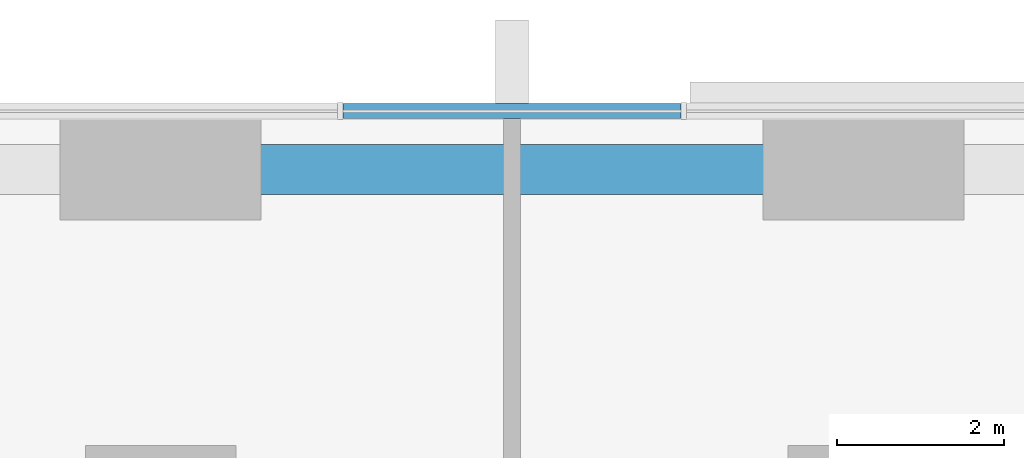
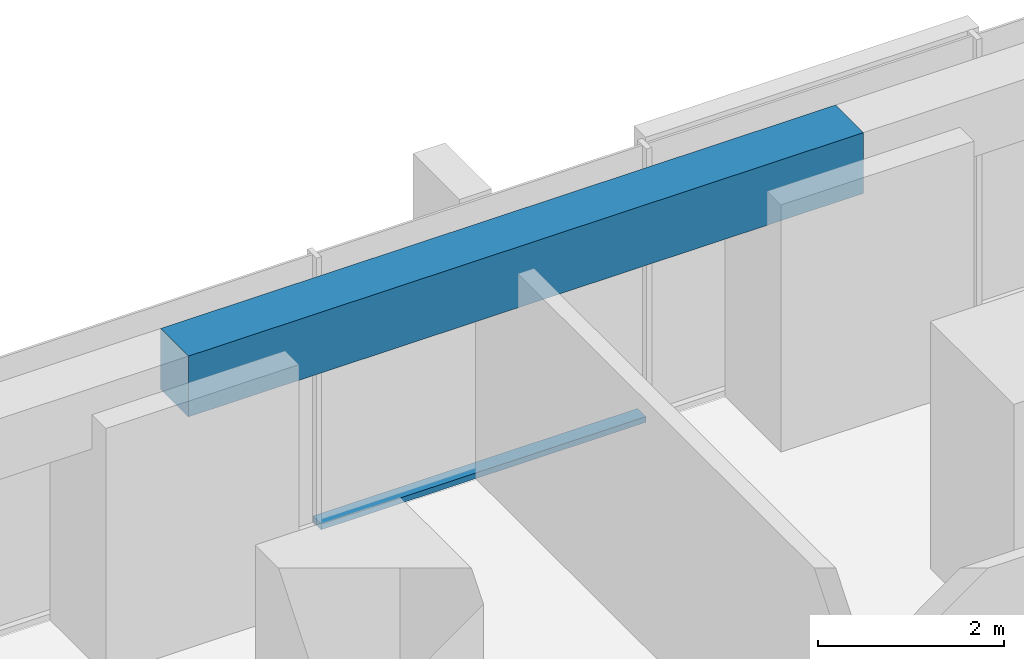
# One storey, part 7 of 17: 1 beam, 1 member, 1 element without a shape of its own.
"""IFC4 building model written with IfcOpenShell, lengths in metres."""

from ifc_helpers import new_model, si_unit, direction, frame, origin, origin_2d, place, context, subcontext, project, spatial, rectangle, extrude, material, material_profile, profile_set, type_object, element, aggregate, save


model = new_model("IFC4")

# Units and contexts
model_context = context("Model", 3, precision=1e-05, world=origin(), true_north=direction((0.0, 1.0)))
body_context = subcontext(model_context, "Body", "Model", "MODEL_VIEW")
ifc_project = project(units=[si_unit("LENGTHUNIT", "METRE"), si_unit("AREAUNIT", "SQUARE_METRE"), si_unit("VOLUMEUNIT", "CUBIC_METRE"), si_unit("PLANEANGLEUNIT", "RADIAN"), si_unit("MASSUNIT", "GRAM", prefix="KILO")], contexts=[model_context])

# Site, building, storey
site_placement = place(None, origin())
site = spatial("IfcSite", under=ifc_project, at=site_placement, CompositionType="ELEMENT")
building_placement = place(site_placement, origin())
building = spatial("IfcBuilding", under=site, at=building_placement, Name="Dunama Terrace Hotel", CompositionType="ELEMENT")
storey_placement = place(building_placement, frame((0.0, 0.0, 70.199951171875)))
storey = spatial("IfcBuildingStorey", under=building, at=storey_placement, Name="L17", CompositionType="ELEMENT", Elevation=70.199951171875)

# Curtain wall, member
ifc_material_1 = material(Name="Aluminium curtain wall system", Category="aluminium")
curtain_wall_type = type_object("IfcCurtainWallType", Name="Unitised fritted glass wall CW-A", PredefinedType="NOTDEFINED", material=ifc_material_1)
curtain_wall_placement = place(storey_placement, origin())
curtain_wall = element("IfcCurtainWall", 1, at=curtain_wall_placement, inside=storey, type_object=curtain_wall_type, Name="Unitised fritted glass wall CW-A L17", PredefinedType="NOTDEFINED")
ifc_material_2 = material(Name="Aluminium transom", Category="aluminium")
ifc_material_profile_1 = material_profile(ifc_material_2, rectangle(XDim=0.179931640625, YDim=0.074951171875, at=origin_2d()), Name="CWA TRANSOM 180X75")
ifc_profile_set_1 = profile_set([ifc_material_profile_1], Name="Aluminium transom")
member_type = type_object("IfcMemberType", Name="CWA transom 180x75", PredefinedType="USERDEFINED", material=ifc_profile_set_1)
member_placement = place(storey_placement, frame((31.4208984375, 58.89990234375, 0.03759765625), z_axis=(-1.0, 0.0, 0.0), x_axis=(0.0, -1.0, 0.0)))
member = element("IfcMember", 2, at=member_placement, type_object=member_type, Name="CWA transom", ObjectType="TRANSOM", PredefinedType="USERDEFINED", context=body_context, shape_type="SweptSolid", body=[
    extrude(rectangle(XDim=0.179931640625, YDim=0.074951171875, at=origin_2d()), origin(), (0.0, 0.0, 1.0), 4.0419921875),
])
aggregate(curtain_wall, [member])

# Beam
ifc_material_3 = material(Name="Concrete C40/50", Category="concrete")
ifc_material_profile_2 = material_profile(ifc_material_3, rectangle(XDim=0.60009765625, YDim=0.800048828125, at=origin_2d()), Name="RC 600x800")
ifc_profile_set_2 = profile_set([ifc_material_profile_2], Name="Concrete C40/50")
beam_type = type_object("IfcBeamType", Name="Edge beam RC 600x800", PredefinedType="SPANDREL", material=ifc_profile_set_2)
beam_placement = place(storey_placement, frame((25.199951171875, 58.199951171875, 3.199951171875), z_axis=(1.0, 0.0, 0.0), x_axis=(0.0, 1.0, 0.0)))
element("IfcBeam", 3, at=beam_placement, inside=storey, type_object=beam_type, Name="Edge beam under L18", PredefinedType="SPANDREL", context=body_context, shape_type="SweptSolid", body=[
    extrude(rectangle(XDim=0.60009765625, YDim=0.800048828125, at=origin_2d()), origin(), (0.0, 0.0, 1.0), 8.400146484375),
])

save(model, "model.ifc")
